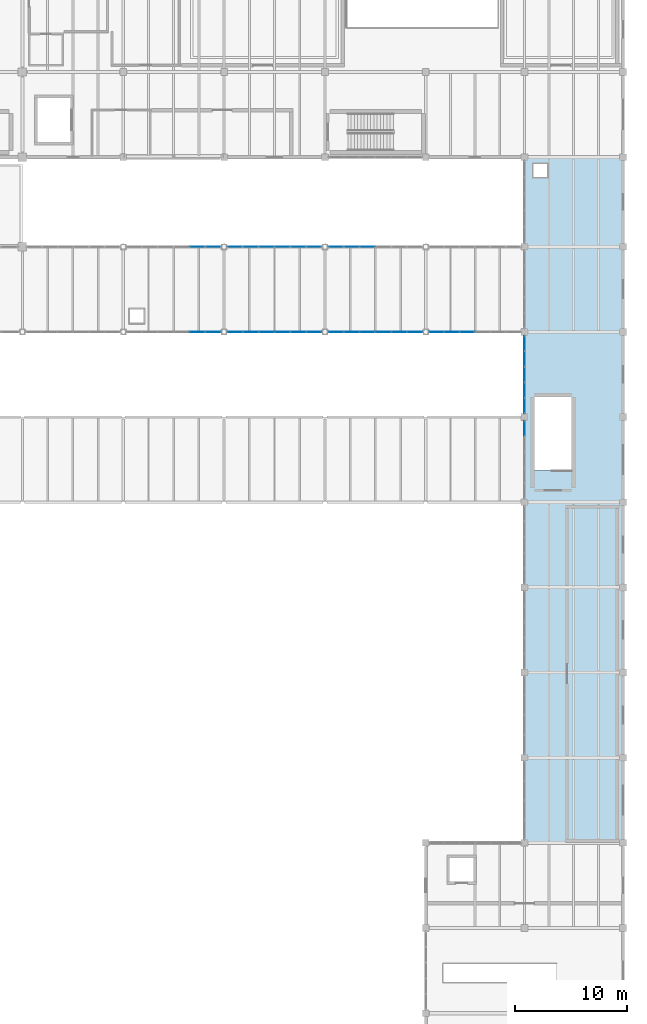
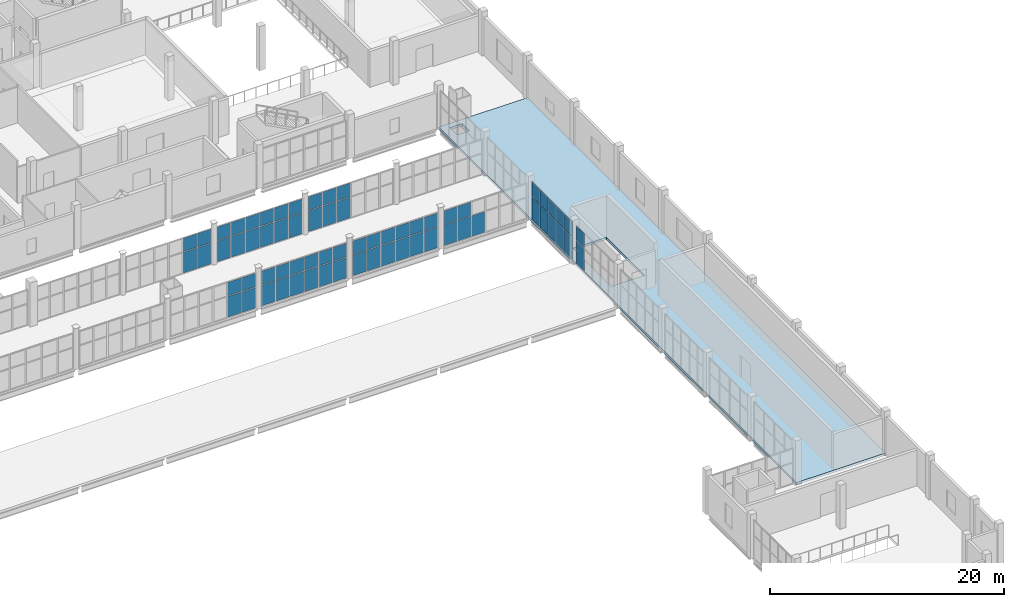
# One storey, part 106 of 136: 67 plates, 1 slab, 9 elements without a shape of their own.
"""IFC4 building model written with IfcOpenShell, lengths in metres."""

from ifc_helpers import new_model, si_unit, direction, frame, origin, origin_2d, place, context, subcontext, project, spatial, polyline, rectangle, outline, extrude, material, layer, layer_set, type_object, element, aggregate, save


model = new_model("IFC4")

# Units and contexts
model_context = context("Model", 3, precision=1e-05, world=origin(), true_north=direction((0.0, 1.0)))
body_context = subcontext(model_context, "Body", "Model", "MODEL_VIEW")
ifc_project = project(units=[si_unit("LENGTHUNIT", "METRE"), si_unit("AREAUNIT", "SQUARE_METRE"), si_unit("VOLUMEUNIT", "CUBIC_METRE"), si_unit("PLANEANGLEUNIT", "RADIAN"), si_unit("MASSUNIT", "GRAM", prefix="KILO")], contexts=[model_context])

# Site, building, storey
site_placement = place(None, origin())
site = spatial("IfcSite", under=ifc_project, at=site_placement, CompositionType="ELEMENT")
building_placement = place(site_placement, origin())
building = spatial("IfcBuilding", under=site, at=building_placement, Name="Shengluoqiao Park Theatre", CompositionType="ELEMENT")
storey_placement = place(building_placement, frame((0.0, 0.0, 10.0)))
storey = spatial("IfcBuildingStorey", under=building, at=storey_placement, Name="L02", CompositionType="ELEMENT", Elevation=10.0)

# Curtain wall, plates
ifc_material_1 = material(Name="Aluminium 6063-T6", Category="aluminium")
curtain_wall_type_1 = type_object("IfcCurtainWallType", Name="ENV-CW-BRIDGE", PredefinedType="NOTDEFINED", material=ifc_material_1)
curtain_wall_1_placement = place(storey_placement, origin())
curtain_wall_1 = element("IfcCurtainWall", 1, at=curtain_wall_1_placement, inside=storey, type_object=curtain_wall_type_1, Name="L02 Curtain Wall CWX-L02-0111", PredefinedType="NOTDEFINED")
ifc_material_2 = material(Name="Insulated glass", Category="glass")
ifc_layer_1 = layer(ifc_material_2, 0.0380859375, Name="Insulated glass")
ifc_layer_set_1 = layer_set([ifc_layer_1], Name="Insulated glass")
plate_type = type_object("IfcPlateType", Name="ENV-GLZ-GL-38", PredefinedType="CURTAIN_PANEL", material=ifc_layer_set_1)
plate_1_placement = place(storey_placement, frame((128.02099609375, 68.39990234375, 0.06005859375), z_axis=(0.0, 0.0, 1.0), x_axis=(1.0, 0.0, 0.0)))
plate_1 = element("IfcPlate", 2, at=plate_1_placement, type_object=plate_type, Name="CW-03 panel 5.1", PredefinedType="CURTAIN_PANEL", context=body_context, shape_type="SweptSolid", body=[
    extrude(rectangle(XDim=1.35400390625, YDim=0.0380859375, at=origin_2d()), origin(), (0.0, 0.0, 1.0), 2.160888671875),
])
plate_2_placement = place(storey_placement, frame((128.02099609375, 68.39990234375, 2.28125), z_axis=(0.0, 0.0, 1.0), x_axis=(1.0, 0.0, 0.0)))
plate_2 = element("IfcPlate", 3, at=plate_2_placement, type_object=plate_type, Name="CW-03 panel 5.2", PredefinedType="CURTAIN_PANEL", context=body_context, shape_type="SweptSolid", body=[
    extrude(rectangle(XDim=1.35400390625, YDim=0.0380859375, at=origin_2d()), origin(), (0.0, 0.0, 1.0), 1.410888671875),
])
plate_3_placement = place(storey_placement, frame((129.419921875, 68.39990234375, 0.06005859375), z_axis=(0.0, 0.0, 1.0), x_axis=(1.0, 0.0, 0.0)))
plate_3 = element("IfcPlate", 4, at=plate_3_placement, type_object=plate_type, Name="CW-03 panel 6.1", PredefinedType="CURTAIN_PANEL", context=body_context, shape_type="SweptSolid", body=[
    extrude(rectangle(XDim=1.323974609375, YDim=0.0380859375, at=origin_2d()), origin(), (0.0, 0.0, 1.0), 2.160888671875),
])
plate_4_placement = place(storey_placement, frame((129.419921875, 68.39990234375, 2.28125), z_axis=(0.0, 0.0, 1.0), x_axis=(1.0, 0.0, 0.0)))
plate_4 = element("IfcPlate", 5, at=plate_4_placement, type_object=plate_type, Name="CW-03 panel 6.2", PredefinedType="CURTAIN_PANEL", context=body_context, shape_type="SweptSolid", body=[
    extrude(rectangle(XDim=1.323974609375, YDim=0.0380859375, at=origin_2d()), origin(), (0.0, 0.0, 1.0), 1.410888671875),
])
aggregate(curtain_wall_1, [plate_1, plate_2, plate_3, plate_4])

curtain_wall_2_placement = place(storey_placement, origin())
curtain_wall_2 = element("IfcCurtainWall", 6, at=curtain_wall_2_placement, inside=storey, type_object=curtain_wall_type_1, Name="L02 Curtain Wall CWX-L02-0112", PredefinedType="NOTDEFINED")
plate_5_placement = place(storey_placement, frame((131.3798828125, 68.39990234375, 0.06005859375), z_axis=(0.0, 0.0, 1.0), x_axis=(1.0, 0.0, 0.0)))
plate_5 = element("IfcPlate", 7, at=plate_5_placement, type_object=plate_type, Name="CW-03 panel 1.1", PredefinedType="CURTAIN_PANEL", context=body_context, shape_type="SweptSolid", body=[
    extrude(rectangle(XDim=1.323974609375, YDim=0.0380859375, at=origin_2d()), origin(), (0.0, 0.0, 1.0), 2.160888671875),
])
plate_6_placement = place(storey_placement, frame((131.3798828125, 68.39990234375, 2.28125), z_axis=(0.0, 0.0, 1.0), x_axis=(1.0, 0.0, 0.0)))
plate_6 = element("IfcPlate", 8, at=plate_6_placement, type_object=plate_type, Name="CW-03 panel 1.2", PredefinedType="CURTAIN_PANEL", context=body_context, shape_type="SweptSolid", body=[
    extrude(rectangle(XDim=1.323974609375, YDim=0.0380859375, at=origin_2d()), origin(), (0.0, 0.0, 1.0), 1.410888671875),
])
plate_7_placement = place(storey_placement, frame((132.779052734375, 68.39990234375, 0.06005859375), z_axis=(0.0, 0.0, 1.0), x_axis=(1.0, 0.0, 0.0)))
plate_7 = element("IfcPlate", 9, at=plate_7_placement, type_object=plate_type, Name="CW-03 panel 2.1", PredefinedType="CURTAIN_PANEL", context=body_context, shape_type="SweptSolid", body=[
    extrude(rectangle(XDim=1.35400390625, YDim=0.0380859375, at=origin_2d()), origin(), (0.0, 0.0, 1.0), 2.160888671875),
])
plate_8_placement = place(storey_placement, frame((132.779052734375, 68.39990234375, 2.28125), z_axis=(0.0, 0.0, 1.0), x_axis=(1.0, 0.0, 0.0)))
plate_8 = element("IfcPlate", 10, at=plate_8_placement, type_object=plate_type, Name="CW-03 panel 2.2", PredefinedType="CURTAIN_PANEL", context=body_context, shape_type="SweptSolid", body=[
    extrude(rectangle(XDim=1.35400390625, YDim=0.0380859375, at=origin_2d()), origin(), (0.0, 0.0, 1.0), 1.410888671875),
])
plate_9_placement = place(storey_placement, frame((134.193115234375, 68.39990234375, 0.06005859375), z_axis=(0.0, 0.0, 1.0), x_axis=(1.0, 0.0, 0.0)))
plate_9 = element("IfcPlate", 11, at=plate_9_placement, type_object=plate_type, Name="CW-03 panel 3.1", PredefinedType="CURTAIN_PANEL", context=body_context, shape_type="SweptSolid", body=[
    extrude(rectangle(XDim=1.35400390625, YDim=0.0380859375, at=origin_2d()), origin(), (0.0, 0.0, 1.0), 2.160888671875),
])
plate_10_placement = place(storey_placement, frame((134.193115234375, 68.39990234375, 2.28125), z_axis=(0.0, 0.0, 1.0), x_axis=(1.0, 0.0, 0.0)))
plate_10 = element("IfcPlate", 12, at=plate_10_placement, type_object=plate_type, Name="CW-03 panel 3.2", PredefinedType="CURTAIN_PANEL", context=body_context, shape_type="SweptSolid", body=[
    extrude(rectangle(XDim=1.35400390625, YDim=0.0380859375, at=origin_2d()), origin(), (0.0, 0.0, 1.0), 1.410888671875),
])
plate_11_placement = place(storey_placement, frame((135.60693359375, 68.39990234375, 0.06005859375), z_axis=(0.0, 0.0, 1.0), x_axis=(1.0, 0.0, 0.0)))
plate_11 = element("IfcPlate", 13, at=plate_11_placement, type_object=plate_type, Name="CW-03 panel 4.1", PredefinedType="CURTAIN_PANEL", context=body_context, shape_type="SweptSolid", body=[
    extrude(rectangle(XDim=1.35400390625, YDim=0.0380859375, at=origin_2d()), origin(), (0.0, 0.0, 1.0), 2.160888671875),
])
plate_12_placement = place(storey_placement, frame((135.60693359375, 68.39990234375, 2.28125), z_axis=(0.0, 0.0, 1.0), x_axis=(1.0, 0.0, 0.0)))
plate_12 = element("IfcPlate", 14, at=plate_12_placement, type_object=plate_type, Name="CW-03 panel 4.2", PredefinedType="CURTAIN_PANEL", context=body_context, shape_type="SweptSolid", body=[
    extrude(rectangle(XDim=1.35400390625, YDim=0.0380859375, at=origin_2d()), origin(), (0.0, 0.0, 1.0), 1.410888671875),
])
plate_13_placement = place(storey_placement, frame((137.02099609375, 68.39990234375, 0.06005859375), z_axis=(0.0, 0.0, 1.0), x_axis=(1.0, 0.0, 0.0)))
plate_13 = element("IfcPlate", 15, at=plate_13_placement, type_object=plate_type, Name="CW-03 panel 5.1", PredefinedType="CURTAIN_PANEL", context=body_context, shape_type="SweptSolid", body=[
    extrude(rectangle(XDim=1.35400390625, YDim=0.0380859375, at=origin_2d()), origin(), (0.0, 0.0, 1.0), 2.160888671875),
])
plate_14_placement = place(storey_placement, frame((137.02099609375, 68.39990234375, 2.28125), z_axis=(0.0, 0.0, 1.0), x_axis=(1.0, 0.0, 0.0)))
plate_14 = element("IfcPlate", 16, at=plate_14_placement, type_object=plate_type, Name="CW-03 panel 5.2", PredefinedType="CURTAIN_PANEL", context=body_context, shape_type="SweptSolid", body=[
    extrude(rectangle(XDim=1.35400390625, YDim=0.0380859375, at=origin_2d()), origin(), (0.0, 0.0, 1.0), 1.410888671875),
])
plate_15_placement = place(storey_placement, frame((138.419921875, 68.39990234375, 0.06005859375), z_axis=(0.0, 0.0, 1.0), x_axis=(1.0, 0.0, 0.0)))
plate_15 = element("IfcPlate", 17, at=plate_15_placement, type_object=plate_type, Name="CW-03 panel 6.1", PredefinedType="CURTAIN_PANEL", context=body_context, shape_type="SweptSolid", body=[
    extrude(rectangle(XDim=1.323974609375, YDim=0.0380859375, at=origin_2d()), origin(), (0.0, 0.0, 1.0), 2.160888671875),
])
plate_16_placement = place(storey_placement, frame((138.419921875, 68.39990234375, 2.28125), z_axis=(0.0, 0.0, 1.0), x_axis=(1.0, 0.0, 0.0)))
plate_16 = element("IfcPlate", 18, at=plate_16_placement, type_object=plate_type, Name="CW-03 panel 6.2", PredefinedType="CURTAIN_PANEL", context=body_context, shape_type="SweptSolid", body=[
    extrude(rectangle(XDim=1.323974609375, YDim=0.0380859375, at=origin_2d()), origin(), (0.0, 0.0, 1.0), 1.410888671875),
])
aggregate(curtain_wall_2, [plate_5, plate_6, plate_7, plate_8, plate_9, plate_10, plate_11, plate_12, plate_13, plate_14, plate_15, plate_16])

curtain_wall_3_placement = place(storey_placement, origin())
curtain_wall_3 = element("IfcCurtainWall", 19, at=curtain_wall_3_placement, inside=storey, type_object=curtain_wall_type_1, Name="L02 Curtain Wall CWX-L02-0113", PredefinedType="NOTDEFINED")
plate_17_placement = place(storey_placement, frame((140.3798828125, 68.39990234375, 0.06005859375), z_axis=(0.0, 0.0, 1.0), x_axis=(1.0, 0.0, 0.0)))
plate_17 = element("IfcPlate", 20, at=plate_17_placement, type_object=plate_type, Name="CW-03 panel 1.1", PredefinedType="CURTAIN_PANEL", context=body_context, shape_type="SweptSolid", body=[
    extrude(rectangle(XDim=1.323974609375, YDim=0.0380859375, at=origin_2d()), origin(), (0.0, 0.0, 1.0), 2.160888671875),
])
plate_18_placement = place(storey_placement, frame((140.3798828125, 68.39990234375, 2.28125), z_axis=(0.0, 0.0, 1.0), x_axis=(1.0, 0.0, 0.0)))
plate_18 = element("IfcPlate", 21, at=plate_18_placement, type_object=plate_type, Name="CW-03 panel 1.2", PredefinedType="CURTAIN_PANEL", context=body_context, shape_type="SweptSolid", body=[
    extrude(rectangle(XDim=1.323974609375, YDim=0.0380859375, at=origin_2d()), origin(), (0.0, 0.0, 1.0), 1.410888671875),
])
plate_19_placement = place(storey_placement, frame((141.779052734375, 68.39990234375, 0.06005859375), z_axis=(0.0, 0.0, 1.0), x_axis=(1.0, 0.0, 0.0)))
plate_19 = element("IfcPlate", 22, at=plate_19_placement, type_object=plate_type, Name="CW-03 panel 2.1", PredefinedType="CURTAIN_PANEL", context=body_context, shape_type="SweptSolid", body=[
    extrude(rectangle(XDim=1.35400390625, YDim=0.0380859375, at=origin_2d()), origin(), (0.0, 0.0, 1.0), 2.160888671875),
])
plate_20_placement = place(storey_placement, frame((141.779052734375, 68.39990234375, 2.28125), z_axis=(0.0, 0.0, 1.0), x_axis=(1.0, 0.0, 0.0)))
plate_20 = element("IfcPlate", 23, at=plate_20_placement, type_object=plate_type, Name="CW-03 panel 2.2", PredefinedType="CURTAIN_PANEL", context=body_context, shape_type="SweptSolid", body=[
    extrude(rectangle(XDim=1.35400390625, YDim=0.0380859375, at=origin_2d()), origin(), (0.0, 0.0, 1.0), 1.410888671875),
])
plate_21_placement = place(storey_placement, frame((143.193115234375, 68.39990234375, 0.06005859375), z_axis=(0.0, 0.0, 1.0), x_axis=(1.0, 0.0, 0.0)))
plate_21 = element("IfcPlate", 24, at=plate_21_placement, type_object=plate_type, Name="CW-03 panel 3.1", PredefinedType="CURTAIN_PANEL", context=body_context, shape_type="SweptSolid", body=[
    extrude(rectangle(XDim=1.35400390625, YDim=0.0380859375, at=origin_2d()), origin(), (0.0, 0.0, 1.0), 2.160888671875),
])
plate_22_placement = place(storey_placement, frame((143.193115234375, 68.39990234375, 2.28125), z_axis=(0.0, 0.0, 1.0), x_axis=(1.0, 0.0, 0.0)))
plate_22 = element("IfcPlate", 25, at=plate_22_placement, type_object=plate_type, Name="CW-03 panel 3.2", PredefinedType="CURTAIN_PANEL", context=body_context, shape_type="SweptSolid", body=[
    extrude(rectangle(XDim=1.35400390625, YDim=0.0380859375, at=origin_2d()), origin(), (0.0, 0.0, 1.0), 1.410888671875),
])
plate_23_placement = place(storey_placement, frame((144.60693359375, 68.39990234375, 0.06005859375), z_axis=(0.0, 0.0, 1.0), x_axis=(1.0, 0.0, 0.0)))
plate_23 = element("IfcPlate", 26, at=plate_23_placement, type_object=plate_type, Name="CW-03 panel 4.1", PredefinedType="CURTAIN_PANEL", context=body_context, shape_type="SweptSolid", body=[
    extrude(rectangle(XDim=1.35400390625, YDim=0.0380859375, at=origin_2d()), origin(), (0.0, 0.0, 1.0), 2.160888671875),
])
plate_24_placement = place(storey_placement, frame((144.60693359375, 68.39990234375, 2.28125), z_axis=(0.0, 0.0, 1.0), x_axis=(1.0, 0.0, 0.0)))
plate_24 = element("IfcPlate", 27, at=plate_24_placement, type_object=plate_type, Name="CW-03 panel 4.2", PredefinedType="CURTAIN_PANEL", context=body_context, shape_type="SweptSolid", body=[
    extrude(rectangle(XDim=1.35400390625, YDim=0.0380859375, at=origin_2d()), origin(), (0.0, 0.0, 1.0), 1.410888671875),
])
plate_25_placement = place(storey_placement, frame((146.02099609375, 68.39990234375, 0.06005859375), z_axis=(0.0, 0.0, 1.0), x_axis=(1.0, 0.0, 0.0)))
plate_25 = element("IfcPlate", 28, at=plate_25_placement, type_object=plate_type, Name="CW-03 panel 5.1", PredefinedType="CURTAIN_PANEL", context=body_context, shape_type="SweptSolid", body=[
    extrude(rectangle(XDim=1.35400390625, YDim=0.0380859375, at=origin_2d()), origin(), (0.0, 0.0, 1.0), 2.160888671875),
])
plate_26_placement = place(storey_placement, frame((146.02099609375, 68.39990234375, 2.28125), z_axis=(0.0, 0.0, 1.0), x_axis=(1.0, 0.0, 0.0)))
plate_26 = element("IfcPlate", 29, at=plate_26_placement, type_object=plate_type, Name="CW-03 panel 5.2", PredefinedType="CURTAIN_PANEL", context=body_context, shape_type="SweptSolid", body=[
    extrude(rectangle(XDim=1.35400390625, YDim=0.0380859375, at=origin_2d()), origin(), (0.0, 0.0, 1.0), 1.410888671875),
])
plate_27_placement = place(storey_placement, frame((147.419921875, 68.39990234375, 0.06005859375), z_axis=(0.0, 0.0, 1.0), x_axis=(1.0, 0.0, 0.0)))
plate_27 = element("IfcPlate", 30, at=plate_27_placement, type_object=plate_type, Name="CW-03 panel 6.1", PredefinedType="CURTAIN_PANEL", context=body_context, shape_type="SweptSolid", body=[
    extrude(rectangle(XDim=1.323974609375, YDim=0.0380859375, at=origin_2d()), origin(), (0.0, 0.0, 1.0), 2.160888671875),
])
plate_28_placement = place(storey_placement, frame((147.419921875, 68.39990234375, 2.28125), z_axis=(0.0, 0.0, 1.0), x_axis=(1.0, 0.0, 0.0)))
plate_28 = element("IfcPlate", 31, at=plate_28_placement, type_object=plate_type, Name="CW-03 panel 6.2", PredefinedType="CURTAIN_PANEL", context=body_context, shape_type="SweptSolid", body=[
    extrude(rectangle(XDim=1.323974609375, YDim=0.0380859375, at=origin_2d()), origin(), (0.0, 0.0, 1.0), 1.410888671875),
])
aggregate(curtain_wall_3, [plate_17, plate_18, plate_19, plate_20, plate_21, plate_22, plate_23, plate_24, plate_25, plate_26, plate_27, plate_28])

curtain_wall_4_placement = place(storey_placement, origin())
curtain_wall_4 = element("IfcCurtainWall", 32, at=curtain_wall_4_placement, inside=storey, type_object=curtain_wall_type_1, Name="L02 Curtain Wall CWX-L02-0114", PredefinedType="NOTDEFINED")
plate_29_placement = place(storey_placement, frame((149.359619140625, 68.39990234375, 0.06005859375), z_axis=(0.0, 0.0, 1.0), x_axis=(1.0, 0.0, 0.0)))
plate_29 = element("IfcPlate", 33, at=plate_29_placement, type_object=plate_type, Name="CW-03 panel 1.1", PredefinedType="CURTAIN_PANEL", context=body_context, shape_type="SweptSolid", body=[
    extrude(rectangle(XDim=1.282958984375, YDim=0.0380859375, at=origin_2d()), origin(), (0.0, 0.0, 1.0), 2.14892578125),
])
plate_30_placement = place(storey_placement, frame((149.359619140625, 68.39990234375, 2.26904296875), z_axis=(0.0, 0.0, 1.0), x_axis=(1.0, 0.0, 0.0)))
plate_30 = element("IfcPlate", 34, at=plate_30_placement, type_object=plate_type, Name="CW-03 panel 1.2", PredefinedType="CURTAIN_PANEL", context=body_context, shape_type="SweptSolid", body=[
    extrude(rectangle(XDim=1.282958984375, YDim=0.0380859375, at=origin_2d()), origin(), (0.0, 0.0, 1.0), 1.403076171875),
])
plate_31_placement = place(storey_placement, frame((150.717529296875, 68.39990234375, 0.06005859375), z_axis=(0.0, 0.0, 1.0), x_axis=(1.0, 0.0, 0.0)))
plate_31 = element("IfcPlate", 35, at=plate_31_placement, type_object=plate_type, Name="CW-03 panel 2.1", PredefinedType="CURTAIN_PANEL", context=body_context, shape_type="SweptSolid", body=[
    extrude(rectangle(XDim=1.31298828125, YDim=0.0380859375, at=origin_2d()), origin(), (0.0, 0.0, 1.0), 2.14892578125),
])
plate_32_placement = place(storey_placement, frame((150.717529296875, 68.39990234375, 2.26904296875), z_axis=(0.0, 0.0, 1.0), x_axis=(1.0, 0.0, 0.0)))
plate_32 = element("IfcPlate", 36, at=plate_32_placement, type_object=plate_type, Name="CW-03 panel 2.2", PredefinedType="CURTAIN_PANEL", context=body_context, shape_type="SweptSolid", body=[
    extrude(rectangle(XDim=1.31298828125, YDim=0.0380859375, at=origin_2d()), origin(), (0.0, 0.0, 1.0), 1.403076171875),
])
plate_33_placement = place(storey_placement, frame((152.090576171875, 68.39990234375, 0.06005859375), z_axis=(0.0, 0.0, 1.0), x_axis=(1.0, 0.0, 0.0)))
plate_33 = element("IfcPlate", 37, at=plate_33_placement, type_object=plate_type, Name="CW-03 panel 3.1", PredefinedType="CURTAIN_PANEL", context=body_context, shape_type="SweptSolid", body=[
    extrude(rectangle(XDim=1.31298828125, YDim=0.0380859375, at=origin_2d()), origin(), (0.0, 0.0, 1.0), 2.14892578125),
])
aggregate(curtain_wall_4, [plate_29, plate_30, plate_31, plate_32, plate_33])

curtain_wall_5_placement = place(storey_placement, origin())
curtain_wall_5 = element("IfcCurtainWall", 38, at=curtain_wall_5_placement, inside=storey, type_object=curtain_wall_type_1, Name="L02 Curtain Wall CWX-L02-0119", PredefinedType="NOTDEFINED")
plate_34_placement = place(storey_placement, frame((128.02099609375, 76.0, 0.06005859375), z_axis=(0.0, 0.0, 1.0), x_axis=(1.0, 0.0, 0.0)))
plate_34 = element("IfcPlate", 39, at=plate_34_placement, type_object=plate_type, Name="CW-03 panel 5.1", PredefinedType="CURTAIN_PANEL", context=body_context, shape_type="SweptSolid", body=[
    extrude(rectangle(XDim=1.35400390625, YDim=0.0380859375, at=origin_2d()), origin(), (0.0, 0.0, 1.0), 2.160888671875),
])
plate_35_placement = place(storey_placement, frame((128.02099609375, 76.0, 2.28125), z_axis=(0.0, 0.0, 1.0), x_axis=(1.0, 0.0, 0.0)))
plate_35 = element("IfcPlate", 40, at=plate_35_placement, type_object=plate_type, Name="CW-03 panel 5.2", PredefinedType="CURTAIN_PANEL", context=body_context, shape_type="SweptSolid", body=[
    extrude(rectangle(XDim=1.35400390625, YDim=0.0380859375, at=origin_2d()), origin(), (0.0, 0.0, 1.0), 1.410888671875),
])
plate_36_placement = place(storey_placement, frame((129.419921875, 76.0, 0.06005859375), z_axis=(0.0, 0.0, 1.0), x_axis=(1.0, 0.0, 0.0)))
plate_36 = element("IfcPlate", 41, at=plate_36_placement, type_object=plate_type, Name="CW-03 panel 6.1", PredefinedType="CURTAIN_PANEL", context=body_context, shape_type="SweptSolid", body=[
    extrude(rectangle(XDim=1.323974609375, YDim=0.0380859375, at=origin_2d()), origin(), (0.0, 0.0, 1.0), 2.160888671875),
])
plate_37_placement = place(storey_placement, frame((129.419921875, 76.0, 2.28125), z_axis=(0.0, 0.0, 1.0), x_axis=(1.0, 0.0, 0.0)))
plate_37 = element("IfcPlate", 42, at=plate_37_placement, type_object=plate_type, Name="CW-03 panel 6.2", PredefinedType="CURTAIN_PANEL", context=body_context, shape_type="SweptSolid", body=[
    extrude(rectangle(XDim=1.323974609375, YDim=0.0380859375, at=origin_2d()), origin(), (0.0, 0.0, 1.0), 1.410888671875),
])
aggregate(curtain_wall_5, [plate_34, plate_35, plate_36, plate_37])

curtain_wall_6_placement = place(storey_placement, origin())
curtain_wall_6 = element("IfcCurtainWall", 43, at=curtain_wall_6_placement, inside=storey, type_object=curtain_wall_type_1, Name="L02 Curtain Wall CWX-L02-0120", PredefinedType="NOTDEFINED")
plate_38_placement = place(storey_placement, frame((131.3798828125, 76.0, 0.06005859375), z_axis=(0.0, 0.0, 1.0), x_axis=(1.0, 0.0, 0.0)))
plate_38 = element("IfcPlate", 44, at=plate_38_placement, type_object=plate_type, Name="CW-03 panel 1.1", PredefinedType="CURTAIN_PANEL", context=body_context, shape_type="SweptSolid", body=[
    extrude(rectangle(XDim=1.323974609375, YDim=0.0380859375, at=origin_2d()), origin(), (0.0, 0.0, 1.0), 2.160888671875),
])
plate_39_placement = place(storey_placement, frame((131.3798828125, 76.0, 2.28125), z_axis=(0.0, 0.0, 1.0), x_axis=(1.0, 0.0, 0.0)))
plate_39 = element("IfcPlate", 45, at=plate_39_placement, type_object=plate_type, Name="CW-03 panel 1.2", PredefinedType="CURTAIN_PANEL", context=body_context, shape_type="SweptSolid", body=[
    extrude(rectangle(XDim=1.323974609375, YDim=0.0380859375, at=origin_2d()), origin(), (0.0, 0.0, 1.0), 1.410888671875),
])
plate_40_placement = place(storey_placement, frame((132.779052734375, 76.0, 0.06005859375), z_axis=(0.0, 0.0, 1.0), x_axis=(1.0, 0.0, 0.0)))
plate_40 = element("IfcPlate", 46, at=plate_40_placement, type_object=plate_type, Name="CW-03 panel 2.1", PredefinedType="CURTAIN_PANEL", context=body_context, shape_type="SweptSolid", body=[
    extrude(rectangle(XDim=1.35400390625, YDim=0.0380859375, at=origin_2d()), origin(), (0.0, 0.0, 1.0), 2.160888671875),
])
plate_41_placement = place(storey_placement, frame((132.779052734375, 76.0, 2.28125), z_axis=(0.0, 0.0, 1.0), x_axis=(1.0, 0.0, 0.0)))
plate_41 = element("IfcPlate", 47, at=plate_41_placement, type_object=plate_type, Name="CW-03 panel 2.2", PredefinedType="CURTAIN_PANEL", context=body_context, shape_type="SweptSolid", body=[
    extrude(rectangle(XDim=1.35400390625, YDim=0.0380859375, at=origin_2d()), origin(), (0.0, 0.0, 1.0), 1.410888671875),
])
plate_42_placement = place(storey_placement, frame((134.193115234375, 76.0, 0.06005859375), z_axis=(0.0, 0.0, 1.0), x_axis=(1.0, 0.0, 0.0)))
plate_42 = element("IfcPlate", 48, at=plate_42_placement, type_object=plate_type, Name="CW-03 panel 3.1", PredefinedType="CURTAIN_PANEL", context=body_context, shape_type="SweptSolid", body=[
    extrude(rectangle(XDim=1.35400390625, YDim=0.0380859375, at=origin_2d()), origin(), (0.0, 0.0, 1.0), 2.160888671875),
])
plate_43_placement = place(storey_placement, frame((134.193115234375, 76.0, 2.28125), z_axis=(0.0, 0.0, 1.0), x_axis=(1.0, 0.0, 0.0)))
plate_43 = element("IfcPlate", 49, at=plate_43_placement, type_object=plate_type, Name="CW-03 panel 3.2", PredefinedType="CURTAIN_PANEL", context=body_context, shape_type="SweptSolid", body=[
    extrude(rectangle(XDim=1.35400390625, YDim=0.0380859375, at=origin_2d()), origin(), (0.0, 0.0, 1.0), 1.410888671875),
])
plate_44_placement = place(storey_placement, frame((135.60693359375, 76.0, 0.06005859375), z_axis=(0.0, 0.0, 1.0), x_axis=(1.0, 0.0, 0.0)))
plate_44 = element("IfcPlate", 50, at=plate_44_placement, type_object=plate_type, Name="CW-03 panel 4.1", PredefinedType="CURTAIN_PANEL", context=body_context, shape_type="SweptSolid", body=[
    extrude(rectangle(XDim=1.35400390625, YDim=0.0380859375, at=origin_2d()), origin(), (0.0, 0.0, 1.0), 2.160888671875),
])
plate_45_placement = place(storey_placement, frame((135.60693359375, 76.0, 2.28125), z_axis=(0.0, 0.0, 1.0), x_axis=(1.0, 0.0, 0.0)))
plate_45 = element("IfcPlate", 51, at=plate_45_placement, type_object=plate_type, Name="CW-03 panel 4.2", PredefinedType="CURTAIN_PANEL", context=body_context, shape_type="SweptSolid", body=[
    extrude(rectangle(XDim=1.35400390625, YDim=0.0380859375, at=origin_2d()), origin(), (0.0, 0.0, 1.0), 1.410888671875),
])
plate_46_placement = place(storey_placement, frame((137.02099609375, 76.0, 0.06005859375), z_axis=(0.0, 0.0, 1.0), x_axis=(1.0, 0.0, 0.0)))
plate_46 = element("IfcPlate", 52, at=plate_46_placement, type_object=plate_type, Name="CW-03 panel 5.1", PredefinedType="CURTAIN_PANEL", context=body_context, shape_type="SweptSolid", body=[
    extrude(rectangle(XDim=1.35400390625, YDim=0.0380859375, at=origin_2d()), origin(), (0.0, 0.0, 1.0), 2.160888671875),
])
plate_47_placement = place(storey_placement, frame((137.02099609375, 76.0, 2.28125), z_axis=(0.0, 0.0, 1.0), x_axis=(1.0, 0.0, 0.0)))
plate_47 = element("IfcPlate", 53, at=plate_47_placement, type_object=plate_type, Name="CW-03 panel 5.2", PredefinedType="CURTAIN_PANEL", context=body_context, shape_type="SweptSolid", body=[
    extrude(rectangle(XDim=1.35400390625, YDim=0.0380859375, at=origin_2d()), origin(), (0.0, 0.0, 1.0), 1.410888671875),
])
plate_48_placement = place(storey_placement, frame((138.419921875, 76.0, 0.06005859375), z_axis=(0.0, 0.0, 1.0), x_axis=(1.0, 0.0, 0.0)))
plate_48 = element("IfcPlate", 54, at=plate_48_placement, type_object=plate_type, Name="CW-03 panel 6.1", PredefinedType="CURTAIN_PANEL", context=body_context, shape_type="SweptSolid", body=[
    extrude(rectangle(XDim=1.323974609375, YDim=0.0380859375, at=origin_2d()), origin(), (0.0, 0.0, 1.0), 2.160888671875),
])
plate_49_placement = place(storey_placement, frame((138.419921875, 76.0, 2.28125), z_axis=(0.0, 0.0, 1.0), x_axis=(1.0, 0.0, 0.0)))
plate_49 = element("IfcPlate", 55, at=plate_49_placement, type_object=plate_type, Name="CW-03 panel 6.2", PredefinedType="CURTAIN_PANEL", context=body_context, shape_type="SweptSolid", body=[
    extrude(rectangle(XDim=1.323974609375, YDim=0.0380859375, at=origin_2d()), origin(), (0.0, 0.0, 1.0), 1.410888671875),
])
aggregate(curtain_wall_6, [plate_38, plate_39, plate_40, plate_41, plate_42, plate_43, plate_44, plate_45, plate_46, plate_47, plate_48, plate_49])

curtain_wall_7_placement = place(storey_placement, origin())
curtain_wall_7 = element("IfcCurtainWall", 56, at=curtain_wall_7_placement, inside=storey, type_object=curtain_wall_type_1, Name="L02 Curtain Wall CWX-L02-0121", PredefinedType="NOTDEFINED")
plate_50_placement = place(storey_placement, frame((140.3798828125, 76.0, 0.06005859375), z_axis=(0.0, 0.0, 1.0), x_axis=(1.0, 0.0, 0.0)))
plate_50 = element("IfcPlate", 57, at=plate_50_placement, type_object=plate_type, Name="CW-03 panel 1.1", PredefinedType="CURTAIN_PANEL", context=body_context, shape_type="SweptSolid", body=[
    extrude(rectangle(XDim=1.323974609375, YDim=0.0380859375, at=origin_2d()), origin(), (0.0, 0.0, 1.0), 2.160888671875),
])
plate_51_placement = place(storey_placement, frame((140.3798828125, 76.0, 2.28125), z_axis=(0.0, 0.0, 1.0), x_axis=(1.0, 0.0, 0.0)))
plate_51 = element("IfcPlate", 58, at=plate_51_placement, type_object=plate_type, Name="CW-03 panel 1.2", PredefinedType="CURTAIN_PANEL", context=body_context, shape_type="SweptSolid", body=[
    extrude(rectangle(XDim=1.323974609375, YDim=0.0380859375, at=origin_2d()), origin(), (0.0, 0.0, 1.0), 1.410888671875),
])
plate_52_placement = place(storey_placement, frame((141.779052734375, 76.0, 0.06005859375), z_axis=(0.0, 0.0, 1.0), x_axis=(1.0, 0.0, 0.0)))
plate_52 = element("IfcPlate", 59, at=plate_52_placement, type_object=plate_type, Name="CW-03 panel 2.1", PredefinedType="CURTAIN_PANEL", context=body_context, shape_type="SweptSolid", body=[
    extrude(rectangle(XDim=1.35400390625, YDim=0.0380859375, at=origin_2d()), origin(), (0.0, 0.0, 1.0), 2.160888671875),
])
plate_53_placement = place(storey_placement, frame((141.779052734375, 76.0, 2.28125), z_axis=(0.0, 0.0, 1.0), x_axis=(1.0, 0.0, 0.0)))
plate_53 = element("IfcPlate", 60, at=plate_53_placement, type_object=plate_type, Name="CW-03 panel 2.2", PredefinedType="CURTAIN_PANEL", context=body_context, shape_type="SweptSolid", body=[
    extrude(rectangle(XDim=1.35400390625, YDim=0.0380859375, at=origin_2d()), origin(), (0.0, 0.0, 1.0), 1.410888671875),
])
plate_54_placement = place(storey_placement, frame((143.193115234375, 76.0, 0.06005859375), z_axis=(0.0, 0.0, 1.0), x_axis=(1.0, 0.0, 0.0)))
plate_54 = element("IfcPlate", 61, at=plate_54_placement, type_object=plate_type, Name="CW-03 panel 3.1", PredefinedType="CURTAIN_PANEL", context=body_context, shape_type="SweptSolid", body=[
    extrude(rectangle(XDim=1.35400390625, YDim=0.0380859375, at=origin_2d()), origin(), (0.0, 0.0, 1.0), 2.160888671875),
])
plate_55_placement = place(storey_placement, frame((143.193115234375, 76.0, 2.28125), z_axis=(0.0, 0.0, 1.0), x_axis=(1.0, 0.0, 0.0)))
plate_55 = element("IfcPlate", 62, at=plate_55_placement, type_object=plate_type, Name="CW-03 panel 3.2", PredefinedType="CURTAIN_PANEL", context=body_context, shape_type="SweptSolid", body=[
    extrude(rectangle(XDim=1.35400390625, YDim=0.0380859375, at=origin_2d()), origin(), (0.0, 0.0, 1.0), 1.410888671875),
])
aggregate(curtain_wall_7, [plate_50, plate_51, plate_52, plate_53, plate_54, plate_55])

curtain_wall_type_2 = type_object("IfcCurtainWallType", Name="ENV-CW-COURT", PredefinedType="NOTDEFINED", material=ifc_material_1)
curtain_wall_8_placement = place(storey_placement, origin())
curtain_wall_8 = element("IfcCurtainWall", 63, at=curtain_wall_8_placement, inside=storey, type_object=curtain_wall_type_2, Name="L02 Curtain Wall CWX-L02-0196", PredefinedType="NOTDEFINED")
plate_56_placement = place(storey_placement, frame((157.199951171875, 59.78173828125, 0.06005859375), z_axis=(0.0, 0.0, 1.0), x_axis=(0.0, 1.0, 0.0)))
plate_56 = element("IfcPlate", 64, at=plate_56_placement, type_object=plate_type, Name="CW-05 panel 5.1", PredefinedType="CURTAIN_PANEL", context=body_context, shape_type="SweptSolid", body=[
    extrude(rectangle(XDim=1.308349609375, YDim=0.0380859375, at=origin_2d()), origin(), (0.0, 0.0, 1.0), 2.330078125),
])
plate_57_placement = place(storey_placement, frame((157.199951171875, 59.78173828125, 2.449951171875), z_axis=(0.0, 0.0, 1.0), x_axis=(0.0, 1.0, 0.0)))
plate_57 = element("IfcPlate", 65, at=plate_57_placement, type_object=plate_type, Name="CW-05 panel 5.2", PredefinedType="CURTAIN_PANEL", context=body_context, shape_type="SweptSolid", body=[
    extrude(rectangle(XDim=1.308349609375, YDim=0.0380859375, at=origin_2d()), origin(), (0.0, 0.0, 1.0), 1.52392578125),
])
aggregate(curtain_wall_8, [plate_56, plate_57])

curtain_wall_9_placement = place(storey_placement, origin())
curtain_wall_9 = element("IfcCurtainWall", 66, at=curtain_wall_9_placement, inside=storey, type_object=curtain_wall_type_2, Name="L02 Curtain Wall CWX-L02-0197", PredefinedType="NOTDEFINED")
plate_58_placement = place(storey_placement, frame((157.199951171875, 61.818115234375, 0.06005859375), z_axis=(0.0, 0.0, 1.0), x_axis=(0.0, 1.0, 0.0)))
plate_58 = element("IfcPlate", 67, at=plate_58_placement, type_object=plate_type, Name="CW-05 panel 1.1", PredefinedType="CURTAIN_PANEL", context=body_context, shape_type="SweptSolid", body=[
    extrude(rectangle(XDim=1.308349609375, YDim=0.0380859375, at=origin_2d()), origin(), (0.0, 0.0, 1.0), 2.330078125),
])
plate_59_placement = place(storey_placement, frame((157.199951171875, 61.818115234375, 2.449951171875), z_axis=(0.0, 0.0, 1.0), x_axis=(0.0, 1.0, 0.0)))
plate_59 = element("IfcPlate", 68, at=plate_59_placement, type_object=plate_type, Name="CW-05 panel 1.2", PredefinedType="CURTAIN_PANEL", context=body_context, shape_type="SweptSolid", body=[
    extrude(rectangle(XDim=1.308349609375, YDim=0.0380859375, at=origin_2d()), origin(), (0.0, 0.0, 1.0), 1.52392578125),
])
plate_60_placement = place(storey_placement, frame((157.199951171875, 63.20166015625, 0.06005859375), z_axis=(0.0, 0.0, 1.0), x_axis=(0.0, 1.0, 0.0)))
plate_60 = element("IfcPlate", 69, at=plate_60_placement, type_object=plate_type, Name="CW-05 panel 2.1", PredefinedType="CURTAIN_PANEL", context=body_context, shape_type="SweptSolid", body=[
    extrude(rectangle(XDim=1.33837890625, YDim=0.0380859375, at=origin_2d()), origin(), (0.0, 0.0, 1.0), 2.330078125),
])
plate_61_placement = place(storey_placement, frame((157.199951171875, 63.20166015625, 2.449951171875), z_axis=(0.0, 0.0, 1.0), x_axis=(0.0, 1.0, 0.0)))
plate_61 = element("IfcPlate", 70, at=plate_61_placement, type_object=plate_type, Name="CW-05 panel 2.2", PredefinedType="CURTAIN_PANEL", context=body_context, shape_type="SweptSolid", body=[
    extrude(rectangle(XDim=1.33837890625, YDim=0.0380859375, at=origin_2d()), origin(), (0.0, 0.0, 1.0), 1.52392578125),
])
plate_62_placement = place(storey_placement, frame((157.199951171875, 64.60009765625, 0.06005859375), z_axis=(0.0, 0.0, 1.0), x_axis=(0.0, 1.0, 0.0)))
plate_62 = element("IfcPlate", 71, at=plate_62_placement, type_object=plate_type, Name="CW-05 panel 3.1", PredefinedType="CURTAIN_PANEL", context=body_context, shape_type="SweptSolid", body=[
    extrude(rectangle(XDim=1.33837890625, YDim=0.0380859375, at=origin_2d()), origin(), (0.0, 0.0, 1.0), 2.330078125),
])
plate_63_placement = place(storey_placement, frame((157.199951171875, 64.60009765625, 2.449951171875), z_axis=(0.0, 0.0, 1.0), x_axis=(0.0, 1.0, 0.0)))
plate_63 = element("IfcPlate", 72, at=plate_63_placement, type_object=plate_type, Name="CW-05 panel 3.2", PredefinedType="CURTAIN_PANEL", context=body_context, shape_type="SweptSolid", body=[
    extrude(rectangle(XDim=1.33837890625, YDim=0.0380859375, at=origin_2d()), origin(), (0.0, 0.0, 1.0), 1.52392578125),
])
plate_64_placement = place(storey_placement, frame((157.199951171875, 65.998291015625, 0.06005859375), z_axis=(0.0, 0.0, 1.0), x_axis=(0.0, 1.0, 0.0)))
plate_64 = element("IfcPlate", 73, at=plate_64_placement, type_object=plate_type, Name="CW-05 panel 4.1", PredefinedType="CURTAIN_PANEL", context=body_context, shape_type="SweptSolid", body=[
    extrude(rectangle(XDim=1.33837890625, YDim=0.0380859375, at=origin_2d()), origin(), (0.0, 0.0, 1.0), 2.330078125),
])
plate_65_placement = place(storey_placement, frame((157.199951171875, 65.998291015625, 2.449951171875), z_axis=(0.0, 0.0, 1.0), x_axis=(0.0, 1.0, 0.0)))
plate_65 = element("IfcPlate", 74, at=plate_65_placement, type_object=plate_type, Name="CW-05 panel 4.2", PredefinedType="CURTAIN_PANEL", context=body_context, shape_type="SweptSolid", body=[
    extrude(rectangle(XDim=1.33837890625, YDim=0.0380859375, at=origin_2d()), origin(), (0.0, 0.0, 1.0), 1.52392578125),
])
plate_66_placement = place(storey_placement, frame((157.199951171875, 67.3818359375, 0.06005859375), z_axis=(0.0, 0.0, 1.0), x_axis=(0.0, 1.0, 0.0)))
plate_66 = element("IfcPlate", 75, at=plate_66_placement, type_object=plate_type, Name="CW-05 panel 5.1", PredefinedType="CURTAIN_PANEL", context=body_context, shape_type="SweptSolid", body=[
    extrude(rectangle(XDim=1.308349609375, YDim=0.0380859375, at=origin_2d()), origin(), (0.0, 0.0, 1.0), 2.330078125),
])
plate_67_placement = place(storey_placement, frame((157.199951171875, 67.3818359375, 2.449951171875), z_axis=(0.0, 0.0, 1.0), x_axis=(0.0, 1.0, 0.0)))
plate_67 = element("IfcPlate", 76, at=plate_67_placement, type_object=plate_type, Name="CW-05 panel 5.2", PredefinedType="CURTAIN_PANEL", context=body_context, shape_type="SweptSolid", body=[
    extrude(rectangle(XDim=1.308349609375, YDim=0.0380859375, at=origin_2d()), origin(), (0.0, 0.0, 1.0), 1.52392578125),
])
aggregate(curtain_wall_9, [plate_58, plate_59, plate_60, plate_61, plate_62, plate_63, plate_64, plate_65, plate_66, plate_67])

# Slab
ifc_material_3 = material(Name="Concrete C35", Category="concrete")
ifc_layer_2 = layer(ifc_material_3, 0.239990234375, Name="Concrete C35")
ifc_layer_set_2 = layer_set([ifc_layer_2], Name="Concrete C35")
slab_type = type_object("IfcSlabType", Name="STR-SLB-FL240", PredefinedType="FLOOR", material=ifc_layer_set_2)
slab_placement = place(storey_placement, frame((0.0, 0.0, -0.239990234375)))
element("IfcSlab", 77, at=slab_placement, inside=storey, type_object=slab_type, Name="Floor Slab L02-V6-MID", PredefinedType="FLOOR", context=body_context, shape_type="SweptSolid", body=[
    extrude(outline(polyline([(157.199951171875, 22.800048828125), (157.199951171875, 84.0), (166.0, 84.0), (166.0, 22.800048828125), (157.199951171875, 22.800048828125)]), holes=[polyline([(161.39990234375, 56.053955078125), (161.39990234375, 62.60009765625), (158.10009765625, 62.60009765625), (158.10009765625, 56.053955078125), (161.39990234375, 56.053955078125)]), polyline([(158.0, 82.199951171875), (159.219970703125, 82.199951171875), (159.219970703125, 83.419921875), (158.0, 83.419921875), (158.0, 82.199951171875)])]), origin(), (0.0, 0.0, 1.0), 0.239990234375),
])

save(model, "model.ifc")
